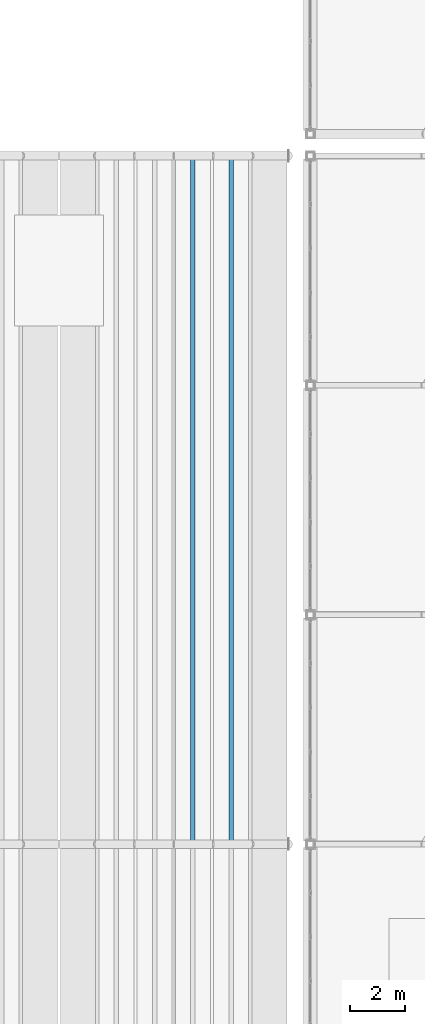
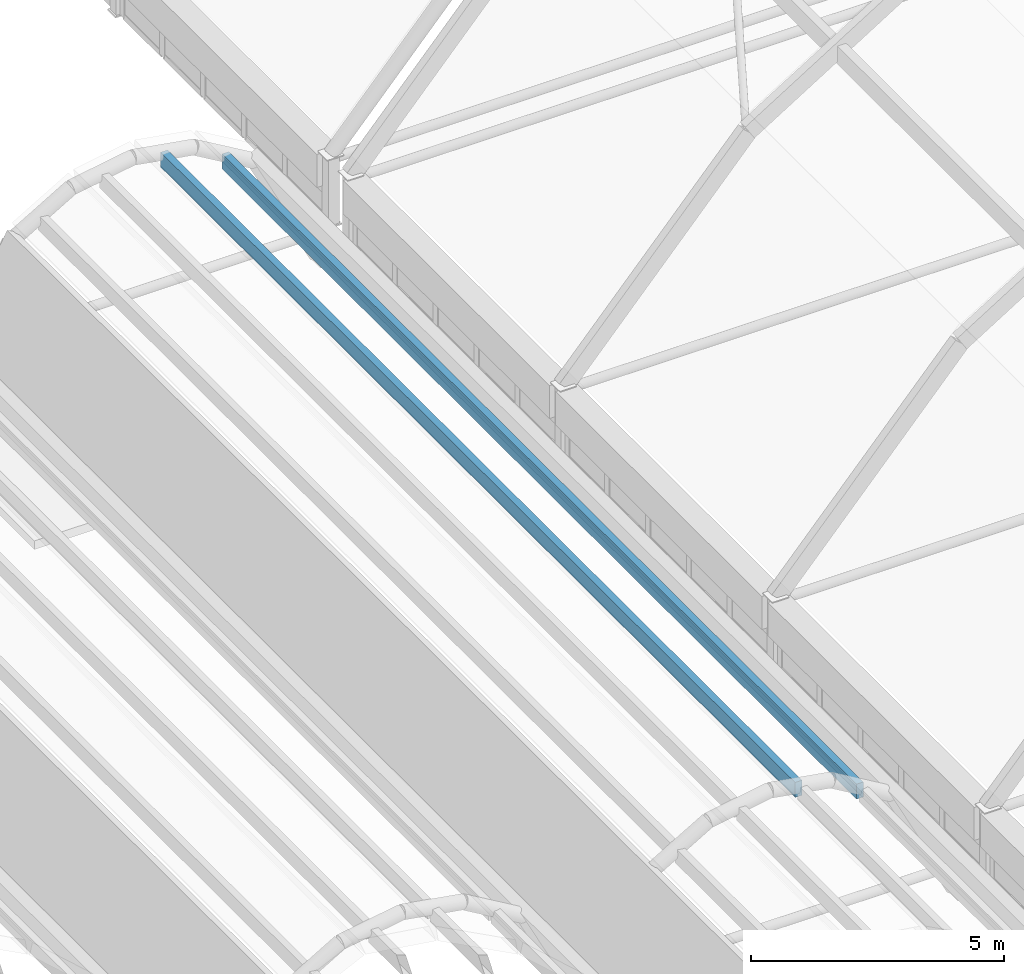
# One storey, part 26 of 114: 2 members.
"""IFC4 building model written with IfcOpenShell, lengths in metres."""

from ifc_helpers import new_model, si_unit, direction, frame, origin, origin_2d, place, context, subcontext, project, spatial, rectangle, extrude, material, material_profile, profile_set, type_object, element, save


model = new_model("IFC4")

# Units and contexts
model_context = context("Model", 3, precision=1e-05, world=origin(), true_north=direction((0.0, 1.0)))
body_context = subcontext(model_context, "Body", "Model", "MODEL_VIEW")
ifc_project = project(units=[si_unit("LENGTHUNIT", "METRE"), si_unit("AREAUNIT", "SQUARE_METRE"), si_unit("VOLUMEUNIT", "CUBIC_METRE"), si_unit("PLANEANGLEUNIT", "RADIAN"), si_unit("MASSUNIT", "GRAM", prefix="KILO")], contexts=[model_context])

# Site, building, storey
site_placement = place(None, origin())
site = spatial("IfcSite", under=ifc_project, at=site_placement, CompositionType="ELEMENT")
building_placement = place(site_placement, origin())
building = spatial("IfcBuilding", under=site, at=building_placement, Name="Xazarin Passage Department Store", CompositionType="ELEMENT")
storey_placement = place(building_placement, frame((0.0, 0.0, 14.39990234375)))
storey = spatial("IfcBuildingStorey", under=building, at=storey_placement, Name="L03", CompositionType="ELEMENT", Elevation=14.39990234375)

# Members
ifc_material = material(Name="Glulam GL28h", Category="wood")
ifc_material_profile = material_profile(ifc_material, rectangle(XDim=0.159912109375, YDim=0.360107421875, at=origin_2d()), Name="GL28h 160x360")
ifc_profile_set = profile_set([ifc_material_profile], Name="Glulam GL28h")
member_type = type_object("IfcMemberType", Name="STR-MEM-GL360", PredefinedType="PURLIN", material=ifc_profile_set)
for number, where, z_axis, x_axis, name in (
    (1, (63.699951171875, 25.25, 3.560546875), (0.0, 1.0, 0.0), (-1.0, 0.0, 0.0), "L03 V3 Barrel Shell Purlin 7.4.2"),
    (2, (65.10009765625, 25.25, 3.029296875), (0.0, 1.0, 0.0), (-1.0, 0.0, 0.0), "L03 V3 Barrel Shell Purlin 7.5.2"),
):
    element("IfcMember", number, at=place(storey_placement, frame(where, z_axis=z_axis, x_axis=x_axis)), inside=storey, type_object=member_type, Name=name, PredefinedType="PURLIN", context=body_context, shape_type="SweptSolid", body=[
        extrude(rectangle(XDim=0.159912109375, YDim=0.360107421875, at=origin_2d()), origin(), (0.0, 0.0, 1.0), 25.10009765625),
    ])

save(model, "model.ifc")
